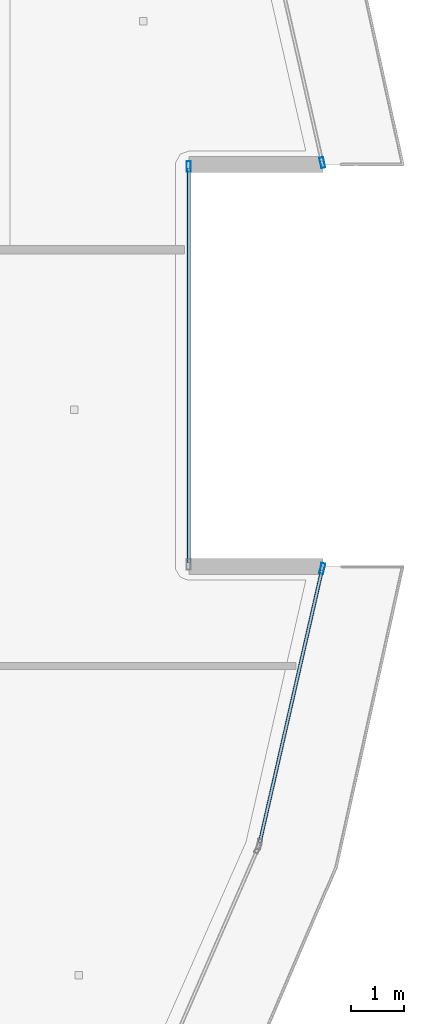
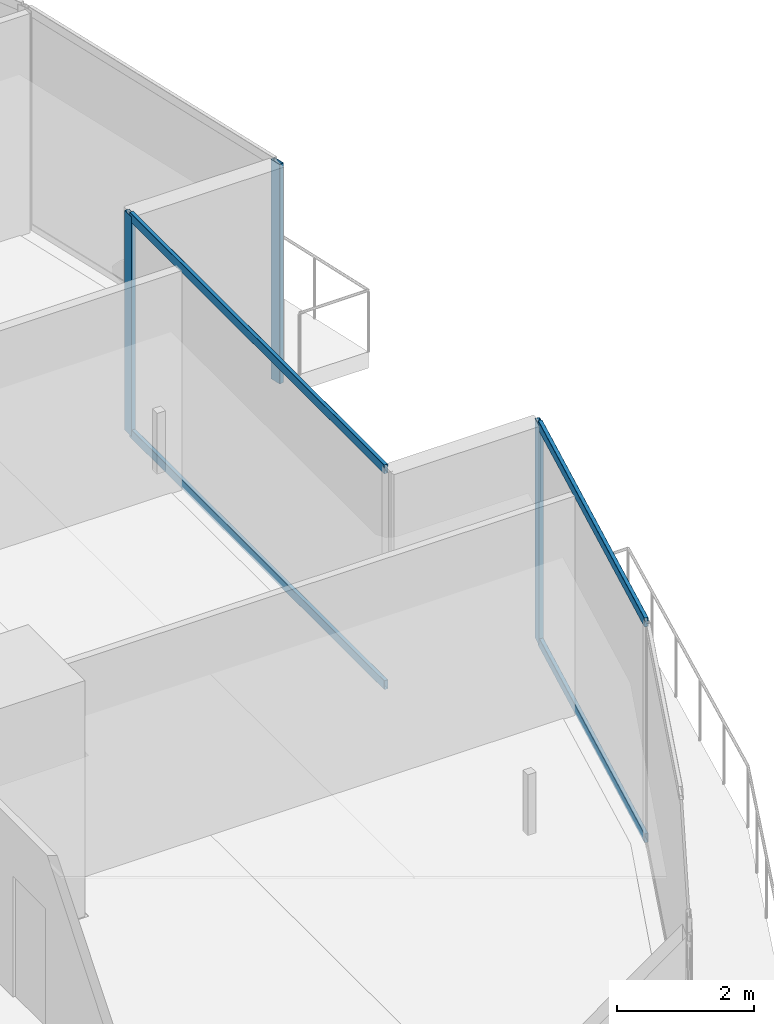
# One storey, part 13 of 34: 7 members, 3 elements without a shape of their own.
"""IFC4 building model written with IfcOpenShell, lengths in metres."""

from ifc_helpers import new_model, si_unit, direction, frame, origin, origin_2d, place, context, subcontext, project, spatial, hollow_rectangle, extrude, material, layer, layer_set, material_profile, profile_set, type_object, element, aggregate, save


model = new_model("IFC4")

# Units and contexts
model_context = context("Model", 3, precision=1e-05, world=origin(), true_north=direction((0.0, 1.0)))
body_context = subcontext(model_context, "Body", "Model", "MODEL_VIEW")
ifc_project = project(units=[si_unit("LENGTHUNIT", "METRE"), si_unit("AREAUNIT", "SQUARE_METRE"), si_unit("VOLUMEUNIT", "CUBIC_METRE"), si_unit("PLANEANGLEUNIT", "RADIAN"), si_unit("MASSUNIT", "GRAM", prefix="KILO")], contexts=[model_context])

# Site, building, storey
site_placement = place(None, origin())
site = spatial("IfcSite", under=ifc_project, at=site_placement, CompositionType="ELEMENT")
building_placement = place(site_placement, origin())
building = spatial("IfcBuilding", under=site, at=building_placement, Name="Qorvath Tower", CompositionType="ELEMENT")
storey_placement = place(building_placement, frame((0.0, 0.0, 268.199951171875)))
storey = spatial("IfcBuildingStorey", under=building, at=storey_placement, Name="L62", CompositionType="ELEMENT", Elevation=268.199951171875)

# Curtain wall, member
ifc_material_1 = material(Name="Anodised aluminium and triple low-E glass", Category="aluminium")
ifc_layer = layer(ifc_material_1, 0.179931640625)
ifc_layer_set = layer_set([ifc_layer], Name="CW-SYS-4")
curtain_wall_type = type_object("IfcCurtainWallType", Name="CW-SYS-4", PredefinedType="NOTDEFINED", material=ifc_layer_set)
curtain_wall_1_placement = place(storey_placement, origin())
curtain_wall_1 = element("IfcCurtainWall", 1, at=curtain_wall_1_placement, inside=storey, type_object=curtain_wall_type, Name="Curtain Wall CW-4 CW-T-L62-7.1", PredefinedType="NOTDEFINED")
ifc_material_2 = material(Name="Anodised aluminium 6063-T6", Category="aluminium")
ifc_material_profile_1 = material_profile(ifc_material_2, hollow_rectangle(XDim=0.074951171875, YDim=0.199951171875, WallThickness=0.00390625, InnerFilletRadius=0.00390625, OuterFilletRadius=0.008056640625, at=origin_2d()), Name="CWM 200x75")
ifc_profile_set_1 = profile_set([ifc_material_profile_1], Name="Anodised aluminium 6063-T6")
member_type_1 = type_object("IfcMemberType", Name="CWM-200", PredefinedType="MULLION", material=ifc_profile_set_1)
member_1_placement = place(storey_placement, frame((-2.019775390625, -3.827392578125, 0.0), z_axis=(0.0, 0.0, 1.0), x_axis=(-0.974911683446, 0.222592024744, 0.0)))
member_1 = element("IfcMember", 2, at=member_1_placement, type_object=member_type_1, Name="CW-4 mullion 2", PredefinedType="MULLION", context=body_context, shape_type="SweptSolid", body=[
    extrude(hollow_rectangle(XDim=0.074951171875, YDim=0.199951171875, WallThickness=0.00390625, InnerFilletRadius=0.00390625, OuterFilletRadius=0.008056640625, at=origin_2d()), origin(), (0.0, 0.0, 1.0), 3.91015625),
])

curtain_wall_2_placement = place(storey_placement, origin())
curtain_wall_2 = element("IfcCurtainWall", 3, at=curtain_wall_2_placement, inside=storey, type_object=curtain_wall_type, Name="Curtain Wall CW-4 CW-T-L62-9.1", PredefinedType="NOTDEFINED")
member_2_placement = place(storey_placement, frame((-4.538818359375, 3.75341796875, 0.0), z_axis=(0.0, 0.0, 1.0), x_axis=(-1.0, 0.0, 0.0)))
member_2 = element("IfcMember", 4, at=member_2_placement, type_object=member_type_1, Name="CW-4 mullion 2", PredefinedType="MULLION", context=body_context, shape_type="SweptSolid", body=[
    extrude(hollow_rectangle(XDim=0.074951171875, YDim=0.199951171875, WallThickness=0.00390625, InnerFilletRadius=0.00390625, OuterFilletRadius=0.008056640625, at=origin_2d()), origin(), (0.0, 0.0, 1.0), 3.91015625),
])

curtain_wall_3_placement = place(storey_placement, origin())
curtain_wall_3 = element("IfcCurtainWall", 5, at=curtain_wall_3_placement, inside=storey, type_object=curtain_wall_type, Name="Curtain Wall CW-4 CW-T-L62-11.1", PredefinedType="NOTDEFINED")
member_3_placement = place(storey_placement, frame((-2.019775390625, 3.827392578125, 0.0), z_axis=(0.0, 0.0, 1.0), x_axis=(-0.974911683446, -0.222592024744, 0.0)))
member_3 = element("IfcMember", 6, at=member_3_placement, type_object=member_type_1, Name="CW-4 mullion 1", PredefinedType="MULLION", context=body_context, shape_type="SweptSolid", body=[
    extrude(hollow_rectangle(XDim=0.074951171875, YDim=0.199951171875, WallThickness=0.00390625, InnerFilletRadius=0.00390625, OuterFilletRadius=0.008056640625, at=origin_2d()), origin(), (0.0, 0.0, 1.0), 3.91015625),
])
aggregate(curtain_wall_3, [member_3])

# Member
ifc_material_3 = material(Name="Anodised aluminium 6063-T6", Category="aluminium")
ifc_material_profile_2 = material_profile(ifc_material_3, hollow_rectangle(XDim=0.06494140625, YDim=0.159912109375, WallThickness=0.00341796875, InnerFilletRadius=0.00341796875, OuterFilletRadius=0.007080078125, at=origin_2d()), Name="CWT 160x65")
ifc_profile_set_2 = profile_set([ifc_material_profile_2], Name="Anodised aluminium 6063-T6")
member_type_2 = type_object("IfcMemberType", Name="CWT-160", PredefinedType="USERDEFINED", material=ifc_profile_set_2)
member_4_placement = place(storey_placement, frame((-3.19970703125, -8.994384765625, 0.032470703125), z_axis=(0.222639621709, 0.974900814876, 0.0), x_axis=(-0.974900814876, 0.222639621709, 0.0)))
member_4 = element("IfcMember", 7, at=member_4_placement, type_object=member_type_2, Name="CW-4 transom 1.1", ObjectType="TRANSOM", PredefinedType="USERDEFINED", context=body_context, shape_type="SweptSolid", body=[
    extrude(hollow_rectangle(XDim=0.06494140625, YDim=0.159912109375, WallThickness=0.00341796875, InnerFilletRadius=0.00341796875, OuterFilletRadius=0.007080078125, at=origin_2d()), origin(), (0.0, 0.0, 1.0), 5.262451171875),
])

member_5_placement = place(storey_placement, frame((-3.19970703125, -8.994384765625, 3.877685546875), z_axis=(0.222639621709, 0.974900814876, 0.0), x_axis=(-0.974900814876, 0.222639621709, 0.0)))
member_5 = element("IfcMember", 8, at=member_5_placement, type_object=member_type_2, Name="CW-4 transom 1.2", ObjectType="TRANSOM", PredefinedType="USERDEFINED", context=body_context, shape_type="SweptSolid", body=[
    extrude(hollow_rectangle(XDim=0.06494140625, YDim=0.159912109375, WallThickness=0.00341796875, InnerFilletRadius=0.00341796875, OuterFilletRadius=0.007080078125, at=origin_2d()), origin(), (0.0, 0.0, 1.0), 5.262451171875),
])

aggregate(curtain_wall_1, [member_1, member_4, member_5])

member_6_placement = place(storey_placement, frame((-4.538818359375, -3.7158203125, 0.032470703125), z_axis=(0.0, 1.0, 0.0), x_axis=(-1.0, 0.0, 0.0)))
member_6 = element("IfcMember", 9, at=member_6_placement, type_object=member_type_2, Name="CW-4 transom 1.1", ObjectType="TRANSOM", PredefinedType="USERDEFINED", context=body_context, shape_type="SweptSolid", body=[
    extrude(hollow_rectangle(XDim=0.06494140625, YDim=0.159912109375, WallThickness=0.00341796875, InnerFilletRadius=0.00341796875, OuterFilletRadius=0.007080078125, at=origin_2d()), origin(), (0.0, 0.0, 1.0), 7.431640625),
])

member_7_placement = place(storey_placement, frame((-4.538818359375, -3.7158203125, 3.877685546875), z_axis=(0.0, 1.0, 0.0), x_axis=(-1.0, 0.0, 0.0)))
member_7 = element("IfcMember", 10, at=member_7_placement, type_object=member_type_2, Name="CW-4 transom 1.2", ObjectType="TRANSOM", PredefinedType="USERDEFINED", context=body_context, shape_type="SweptSolid", body=[
    extrude(hollow_rectangle(XDim=0.06494140625, YDim=0.159912109375, WallThickness=0.00341796875, InnerFilletRadius=0.00341796875, OuterFilletRadius=0.007080078125, at=origin_2d()), origin(), (0.0, 0.0, 1.0), 7.431640625),
])

aggregate(curtain_wall_2, [member_2, member_6, member_7])

save(model, "model.ifc")
